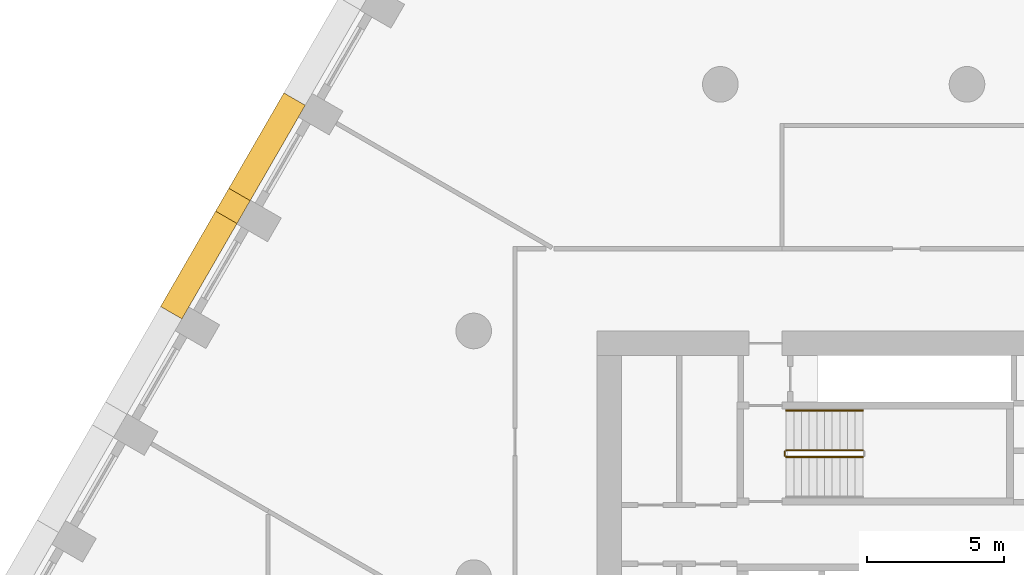
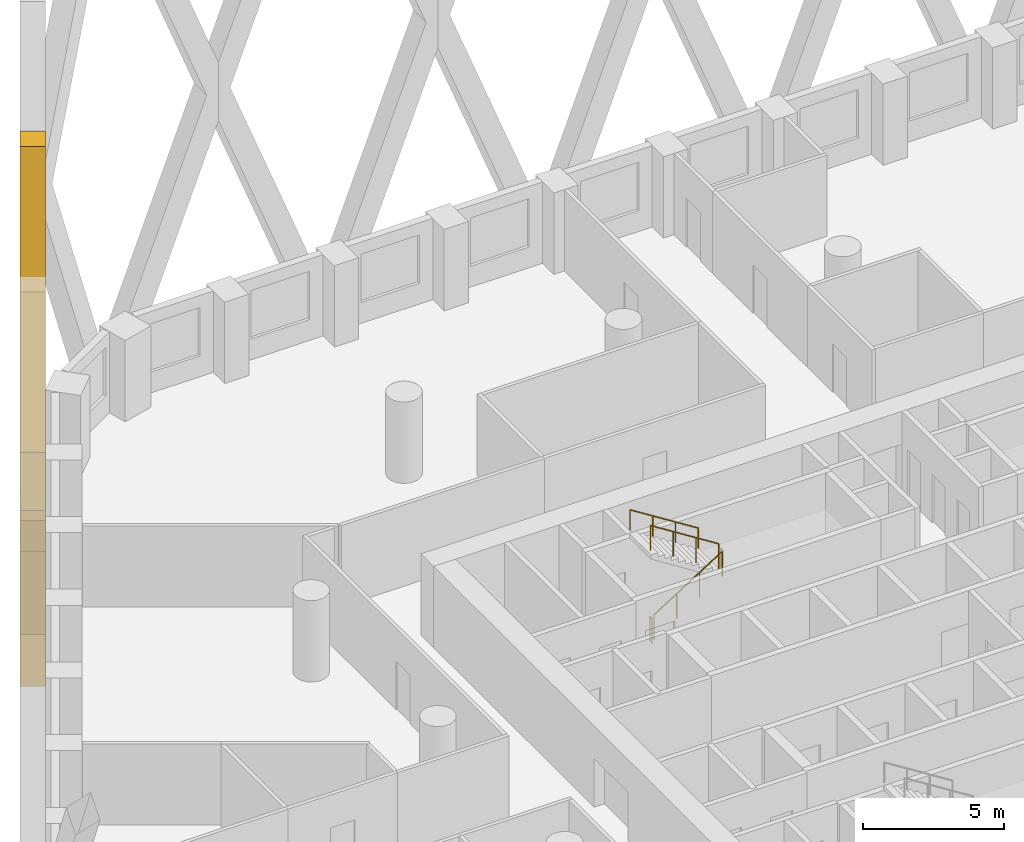
# One storey, part 15 of 18: 4 railings, 1 covering.
"""IFC4 building model written with IfcOpenShell, lengths in metres."""

from ifc_helpers import new_model, si_unit, direction, frame, origin, origin_2d, place, context, subcontext, project, spatial, polyline, circle, outline, extrude, material, type_object, element, save


model = new_model("IFC4")

# Units and contexts
model_context = context("Model", 3, precision=1e-05, world=origin(), true_north=direction((0.0, 1.0)))
body_context = subcontext(model_context, "Body", "Model", "MODEL_VIEW")
ifc_project = project(units=[si_unit("LENGTHUNIT", "METRE"), si_unit("AREAUNIT", "SQUARE_METRE"), si_unit("VOLUMEUNIT", "CUBIC_METRE"), si_unit("PLANEANGLEUNIT", "RADIAN"), si_unit("MASSUNIT", "GRAM", prefix="KILO")], contexts=[model_context])

# Site, building, storey
site_placement = place(None, origin())
site = spatial("IfcSite", under=ifc_project, at=site_placement, CompositionType="ELEMENT")
building_placement = place(site_placement, origin())
building = spatial("IfcBuilding", under=site, at=building_placement, Name="Dhurran Vertical Campus", CompositionType="ELEMENT")
storey_placement = place(building_placement, frame((0.0, 0.0, 104.699951171875)))
storey = spatial("IfcBuildingStorey", under=building, at=storey_placement, Name="L25", CompositionType="ELEMENT", Elevation=104.699951171875)

# Covering
ifc_material_1 = material(Name="Precast concrete C50/60", Category="concrete")
covering_type = type_object("IfcCoveringType", Name="Folded precast fin lattice diamond", PredefinedType="USERDEFINED", material=ifc_material_1)
covering_placement = place(storey_placement, frame((-28.647216796875, 21.735595703125, 0.0), z_axis=(-0.866013897511, 0.50001992892, 0.0), x_axis=(-0.50001992892, -0.866013897511, 0.0)))
element("IfcCovering", 1, at=covering_placement, inside=storey, type_object=covering_type, Name="FN1 L25.024", ObjectType="FIN", PredefinedType="USERDEFINED", context=body_context, shape_type="SweptSolid", body=[
    extrude(outline(polyline([(9.0, 12.95361328125), (9.0, 10.4462890625), (4.982177734375, 0.0), (4.017822265625, 0.0), (0.0, 10.4462890625), (0.0, 12.95361328125), (4.017822265625, 23.39990234375), (4.982177734375, 23.39990234375), (9.0, 12.95361328125)]), holes=[polyline([(8.517822265625, 11.699951171875), (4.5, 22.146484375), (0.482177734375, 11.699951171875), (4.5, 1.253662109375), (8.517822265625, 11.699951171875)])]), origin(), (0.0, 0.0, 1.0), 0.89990234375),
])

# Railings
ifc_material_2 = material(Name="Stainless steel balustrade", Category="steel")
railing_type_1 = type_object("IfcRailingType", Name="co-RL-GUARD-1100", PredefinedType="GUARDRAIL", material=ifc_material_2)
railing_1_placement = place(storey_placement, frame((-11.10009765625, 8.89990234375, 0.17724609375)))
element("IfcRailing", 2, at=railing_1_placement, inside=storey, type_object=railing_type_1, Name="L25 ST1 stair guard 1", PredefinedType="GUARDRAIL", context=body_context, shape_type="SweptSolid", body=[
    extrude(circle(Radius=0.02392578125, at=origin_2d()), frame((0.0, 0.0, 1.076171875), z_axis=(0.844908973607, 0.0, 0.534910110503), x_axis=(0.0, 1.0, 0.0)), (0.0, 0.0, 1.0), 3.31396484375),
    extrude(circle(Radius=0.02099609375, at=origin_2d()), origin(), (0.0, 0.0, 1.0), 1.052001953125),
    extrude(circle(Radius=0.02099609375, at=origin_2d()), frame((0.933349609375, 0.0, 0.5908203125)), (0.0, 0.0, 1.0), 1.052001953125),
    extrude(circle(Radius=0.02099609375, at=origin_2d()), frame((1.86669921875, 0.0, 1.181884765625)), (0.0, 0.0, 1.0), 1.052001953125),
    extrude(circle(Radius=0.02099609375, at=origin_2d()), frame((2.800048828125, 0.0, 1.772705078125)), (0.0, 0.0, 1.0), 1.052001953125),
])
railing_2_placement = place(storey_placement, frame((-8.300048828125, 9.14990234375, 2.12744140625)))
element("IfcRailing", 3, at=railing_2_placement, inside=storey, type_object=railing_type_1, Name="L25 ST1 stair guard 3", PredefinedType="GUARDRAIL", context=body_context, shape_type="SweptSolid", body=[
    extrude(circle(Radius=0.02392578125, at=origin_2d()), frame((0.0, 0.0, 1.076171875), z_axis=(-0.844908973607, 0.0, 0.534910110503), x_axis=(0.0, -1.0, 0.0)), (0.0, 0.0, 1.0), 3.31396484375),
    extrude(circle(Radius=0.02099609375, at=origin_2d()), origin(), (0.0, 0.0, 1.0), 1.052001953125),
    extrude(circle(Radius=0.02099609375, at=origin_2d()), frame((-0.933349609375, 0.0, 0.5908203125)), (0.0, 0.0, 1.0), 1.052001953125),
    extrude(circle(Radius=0.02099609375, at=origin_2d()), frame((-1.86669921875, 0.0, 1.181884765625)), (0.0, 0.0, 1.0), 1.052001953125),
    extrude(circle(Radius=0.02099609375, at=origin_2d()), frame((-2.800048828125, 0.0, 1.772705078125)), (0.0, 0.0, 1.0), 1.052001953125),
])
railing_3_placement = place(storey_placement, frame((-11.14990234375, 8.949951171875, 0.0)))
element("IfcRailing", 4, at=railing_3_placement, inside=storey, type_object=railing_type_1, Name="L25 ST1 stair guard 4", PredefinedType="GUARDRAIL", context=body_context, shape_type="SweptSolid", body=[
    extrude(circle(Radius=0.02392578125, at=origin_2d()), frame((0.0, 0.0, 1.076171875), z_axis=(0.0, 1.0, 0.0), x_axis=(-1.0, 0.0, 0.0)), (0.0, 0.0, 1.0), 0.150146484375),
    extrude(circle(Radius=0.02099609375, at=origin_2d()), origin(), (0.0, 0.0, 1.0), 1.052001953125),
    extrude(circle(Radius=0.02099609375, at=origin_2d()), frame((0.0, 0.150146484375, 0.0)), (0.0, 0.0, 1.0), 1.052001953125),
])
ifc_material_3 = material(Name="Stainless steel handrail", Category="steel")
railing_type_2 = type_object("IfcRailingType", Name="co-RL-HANDRAIL-900", PredefinedType="HANDRAIL", material=ifc_material_3)
railing_4_placement = place(storey_placement, frame((-8.300048828125, 10.60009765625, 2.12744140625)))
element("IfcRailing", 5, at=railing_4_placement, inside=storey, type_object=railing_type_2, Name="L25 ST1 stair handrail 2", PredefinedType="HANDRAIL", context=body_context, shape_type="SweptSolid", body=[
    extrude(circle(Radius=0.02392578125, at=origin_2d()), frame((0.0, 0.0, 0.8759765625), z_axis=(-0.844908973607, 0.0, 0.534910110503), x_axis=(0.0, -1.0, 0.0)), (0.0, 0.0, 1.0), 3.31396484375),
    extrude(circle(Radius=0.02099609375, at=origin_2d()), origin(), (0.0, 0.0, 1.0), 0.851806640625),
    extrude(circle(Radius=0.02099609375, at=origin_2d()), frame((-0.933349609375, 0.0, 0.5908203125)), (0.0, 0.0, 1.0), 0.851806640625),
    extrude(circle(Radius=0.02099609375, at=origin_2d()), frame((-1.86669921875, 0.0, 1.181884765625)), (0.0, 0.0, 1.0), 0.851806640625),
    extrude(circle(Radius=0.02099609375, at=origin_2d()), frame((-2.800048828125, 0.0, 1.772705078125)), (0.0, 0.0, 1.0), 0.851806640625),
])

save(model, "model.ifc")
